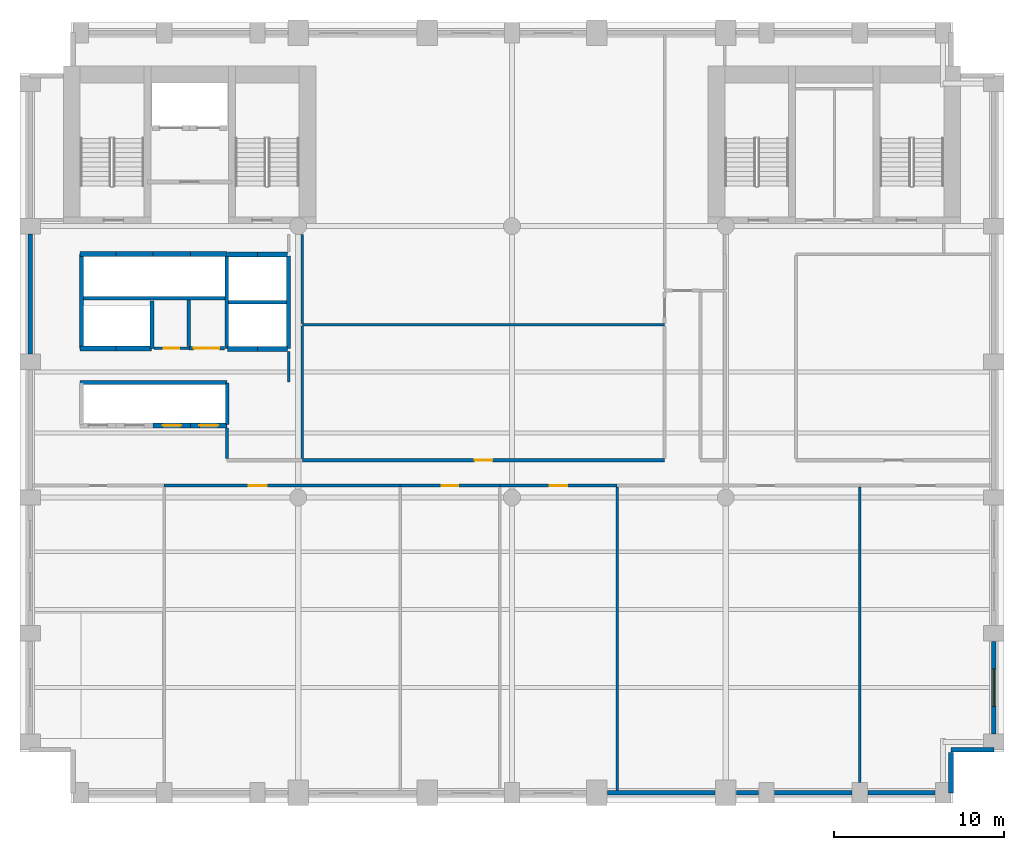
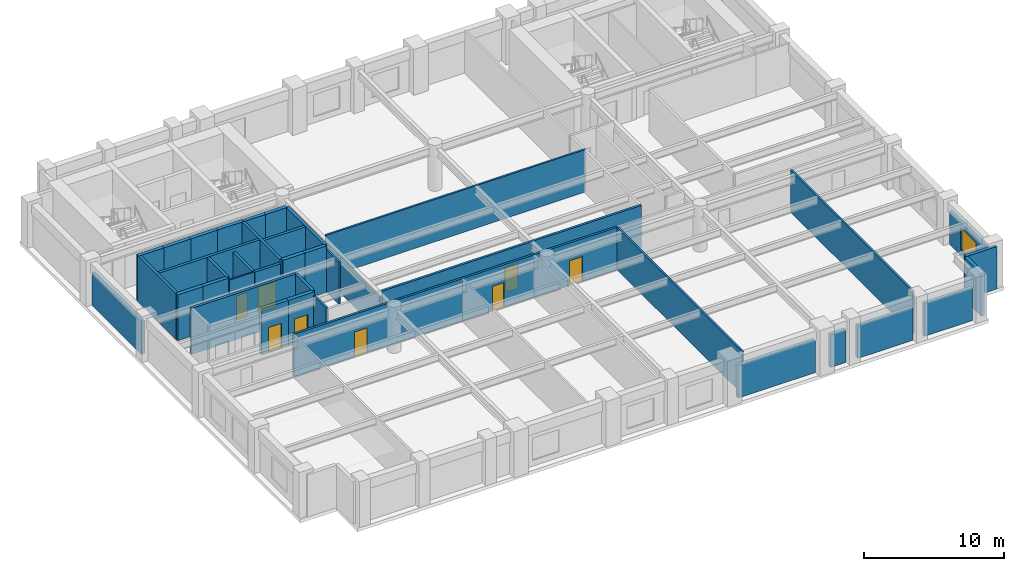
# One storey, part 3 of 9: 42 walls, 8 doors, 1 window, 9 openings.
"""IFC4 building model written with IfcOpenShell, lengths in metres."""

from ifc_helpers import new_model, si_unit, direction, frame, frame_2d, origin, place, context, subcontext, project, spatial, rectangle, extrude, material, layer, layer_set, type_object, element, fill, save


model = new_model("IFC4")

# Units and contexts
model_context = context("Model", 3, precision=1e-05, world=origin(), true_north=direction((0.0, 1.0)))
body_context = subcontext(model_context, "Body", "Model", "MODEL_VIEW")
ifc_project = project(units=[si_unit("LENGTHUNIT", "METRE"), si_unit("AREAUNIT", "SQUARE_METRE"), si_unit("VOLUMEUNIT", "CUBIC_METRE"), si_unit("PLANEANGLEUNIT", "RADIAN"), si_unit("MASSUNIT", "GRAM", prefix="KILO")], contexts=[model_context])

# Site, building, storey
site_placement = place(None, origin())
site = spatial("IfcSite", under=ifc_project, at=site_placement, CompositionType="ELEMENT")
building_placement = place(site_placement, origin())
building = spatial("IfcBuilding", under=site, at=building_placement, Name="Sulina Concourse Tower", CompositionType="ELEMENT")
storey_placement = place(building_placement, frame((0.0, 0.0, 66.60009765625)))
storey = spatial("IfcBuildingStorey", under=building, at=storey_placement, Name="L16", CompositionType="ELEMENT", Elevation=66.60009765625)

# Walls
ifc_material_1 = material(Name="Concrete C50/60", Category="concrete")
ifc_layer_1 = layer(ifc_material_1, 0.219970703125)
ifc_layer_set_1 = layer_set([ifc_layer_1], Name="Concrete C50/60")
wall_type_1 = type_object("IfcWallType", Name="Core Lift Hoistway Divider Wall 220mm", PredefinedType="SOLIDWALL", material=ifc_layer_set_1)
wall_1_placement = place(storey_placement, frame((3.550048828125, 29.75, 0.0), z_axis=(0.0, 0.0, 1.0), x_axis=(1.0, 0.0, 0.0)))
element("IfcWall", 1, at=wall_1_placement, inside=storey, type_object=wall_type_1, Name="L16 shaft divider wall HW-LP3-S", PredefinedType="SOLIDWALL", context=body_context, shape_type="SweptSolid", body=[
    extrude(rectangle(XDim=8.64990234375, YDim=0.219970703125, at=frame_2d((4.324951171875, 0.0))), origin(), (0.0, 0.0, 1.0), 4.0),
])
wall_2_placement = place(storey_placement, frame((3.6298828125, 26.800048828125, 0.0), z_axis=(0.0, 0.0, 1.0), x_axis=(0.0, 1.0, 0.0)))
element("IfcWall", 2, at=wall_2_placement, inside=storey, type_object=wall_type_1, Name="L16 shaft divider wall HW-LP3-W", PredefinedType="SOLIDWALL", context=body_context, shape_type="SweptSolid", body=[
    extrude(rectangle(XDim=5.550048828125, YDim=0.219970703125, at=frame_2d((2.77490234375, 0.0))), origin(), (0.0, 0.0, 1.0), 4.0),
])
wall_3_placement = place(storey_placement, frame((7.780029296875, 26.800048828125, 0.0), z_axis=(0.0, 0.0, 1.0), x_axis=(0.0, 1.0, 0.0)))
element("IfcWall", 3, at=wall_3_placement, inside=storey, type_object=wall_type_1, Name="L16 shaft divider wall HW-EXP-E", PredefinedType="SOLIDWALL", context=body_context, shape_type="SweptSolid", body=[
    extrude(rectangle(XDim=2.800048828125, YDim=0.219970703125, at=frame_2d((1.39990234375, 0.0))), origin(), (0.0, 0.0, 1.0), 4.0),
])
for number, where, z_axis, x_axis, name in (
    (4, (12.179931640625, 26.800048828125, 0.0), (0.0, 0.0, 1.0), (0.0, 1.0, 0.0), "L16 shaft divider wall HW-LP2-W"),
    (5, (15.820068359375, 26.800048828125, 0.0), (0.0, 0.0, 1.0), (0.0, 1.0, 0.0), "L16 shaft divider wall HW-LP2-E"),
):
    element("IfcWall", number, at=place(storey_placement, frame(where, z_axis=z_axis, x_axis=x_axis)), inside=storey, type_object=wall_type_1, Name=name, PredefinedType="SOLIDWALL", context=body_context, shape_type="SweptSolid", body=[
        extrude(rectangle(XDim=5.449951171875, YDim=0.219970703125, at=frame_2d((2.72509765625, 0.0))), origin(), (0.0, 0.0, 1.0), 4.0),
    ])
wall_4_placement = place(storey_placement, frame((12.300048828125, 29.52001953125, 0.0), z_axis=(0.0, 0.0, 1.0), x_axis=(1.0, 0.0, 0.0)))
element("IfcWall", 6, at=wall_4_placement, inside=storey, type_object=wall_type_1, Name="L16 shaft divider wall HW-LP2-M", PredefinedType="SOLIDWALL", context=body_context, shape_type="SweptSolid", body=[
    extrude(rectangle(XDim=3.39990234375, YDim=0.219970703125, at=frame_2d((1.699951171875, 0.0))), origin(), (0.0, 0.0, 1.0), 4.0),
])
wall_5_placement = place(storey_placement, frame((3.550048828125, 24.780029296875, 0.0), z_axis=(0.0, 0.0, 1.0), x_axis=(1.0, 0.0, 0.0)))
element("IfcWall", 7, at=wall_5_placement, inside=storey, type_object=wall_type_1, Name="L16 shaft divider wall HW-LP1-N", PredefinedType="SOLIDWALL", context=body_context, shape_type="SweptSolid", body=[
    extrude(rectangle(XDim=8.64990234375, YDim=0.219970703125, at=frame_2d((4.324951171875, 0.0))), origin(), (0.0, 0.0, 1.0), 4.0),
])
wall_6_placement = place(storey_placement, frame((12.219970703125, 22.300048828125, 0.0), z_axis=(0.0, 0.0, 1.0), x_axis=(0.0, 1.0, 0.0)))
element("IfcWall", 8, at=wall_6_placement, inside=storey, type_object=wall_type_1, Name="L16 shaft divider wall HW-LP1-E", PredefinedType="SOLIDWALL", context=body_context, shape_type="SweptSolid", body=[
    extrude(rectangle(XDim=2.449951171875, YDim=0.219970703125, at=frame_2d((1.22509765625, 0.0))), origin(), (0.0, 0.0, 1.0), 4.0),
])

# Wall, opening, door
ifc_material_2 = material(Name="Concrete C50/60", Category="concrete")
ifc_layer_2 = layer(ifc_material_2, 0.300048828125)
ifc_layer_set_2 = layer_set([ifc_layer_2], Name="Concrete C50/60")
wall_type_2 = type_object("IfcWallType", Name="Core Lift Hoistway Wall 300mm", PredefinedType="SOLIDWALL", material=ifc_layer_set_2)
wall_7_placement = place(storey_placement, frame((10.050048828125, 22.25, 0.0), z_axis=(0.0, 0.0, 1.0), x_axis=(-1.0, 0.0, 0.0)))
wall_7 = element("IfcWall", 9, at=wall_7_placement, inside=storey, type_object=wall_type_2, Name="L16 hoistway enclosure wall LP-03", PredefinedType="SOLIDWALL", context=body_context, shape_type="SweptSolid", body=[
    extrude(rectangle(XDim=2.199951171875, YDim=0.300048828125, at=frame_2d((1.10009765625, 0.0))), origin(), (0.0, 0.0, 1.0), 4.0),
])
opening_1_placement = place(wall_7_placement, frame((0.550048828125, 0.0, 0.0)))
opening_1 = element("IfcOpeningElement", 10, at=opening_1_placement, cuts=wall_7, Name="Opening LD-01", PredefinedType="OPENING", context=body_context, shape_type="SweptSolid", body=[
    extrude(rectangle(XDim=1.10009765625, YDim=2.199951171875, at=frame_2d((0.550048828125, 1.10009765625))), frame((0.0, 0.159912109375, 0.0), z_axis=(0.0, -1.0, 0.0), x_axis=(1.0, 0.0, 0.0)), (0.0, 0.0, 1.0), 0.320068359375),
])
ifc_material_3 = material(Name="Stainless steel lift landing door", Category="steel")
ifc_layer_3 = layer(ifc_material_3, 0.050048828125)
ifc_layer_set_3 = layer_set([ifc_layer_3], Name="Stainless steel lift landing door")
door_type_1 = type_object("IfcDoorType", Name="Passenger Lift Sliding Landing Door 1100x2200", OperationType="SLIDING_TO_LEFT", PredefinedType="DOOR", material=ifc_layer_set_3)
door_1_placement = place(opening_1_placement, origin())
door_1 = element("IfcDoor", 11, at=door_1_placement, inside=storey, type_object=door_type_1, Name="L16 lift landing sliding door LP-03", OperationType="SLIDING_TO_LEFT", OverallHeight=2.199951171875, OverallWidth=1.10009765625, PredefinedType="DOOR", context=body_context, shape_type="SweptSolid", body=[
    extrude(rectangle(XDim=1.10009765625, YDim=2.199951171875, at=frame_2d((0.550048828125, 1.10009765625))), frame((0.0, 0.02490234375, 0.0), z_axis=(0.0, -1.0, 0.0), x_axis=(1.0, 0.0, 0.0)), (0.0, 0.0, 1.0), 0.050048828125),
])
fill(opening_1, door_1)

wall_8_placement = place(storey_placement, frame((12.199951171875, 22.25, 0.0), z_axis=(0.0, 0.0, 1.0), x_axis=(-1.0, 0.0, 0.0)))
wall_8 = element("IfcWall", 12, at=wall_8_placement, inside=storey, type_object=wall_type_2, Name="L16 hoistway enclosure wall LP-04", PredefinedType="SOLIDWALL", context=body_context, shape_type="SweptSolid", body=[
    extrude(rectangle(XDim=2.14990234375, YDim=0.300048828125, at=frame_2d((1.074951171875, 0.0))), origin(), (0.0, 0.0, 1.0), 4.0),
])
opening_2_placement = place(wall_8_placement, frame((0.52490234375, 0.0, 0.0)))
opening_2 = element("IfcOpeningElement", 13, at=opening_2_placement, cuts=wall_8, Name="Opening LD-01", PredefinedType="OPENING", context=body_context, shape_type="SweptSolid", body=[
    extrude(rectangle(XDim=1.10009765625, YDim=2.199951171875, at=frame_2d((0.550048828125, 1.10009765625))), frame((0.0, 0.159912109375, 0.0), z_axis=(0.0, -1.0, 0.0), x_axis=(1.0, 0.0, 0.0)), (0.0, 0.0, 1.0), 0.320068359375),
])
door_2_placement = place(opening_2_placement, origin())
door_2 = element("IfcDoor", 14, at=door_2_placement, inside=storey, type_object=door_type_1, Name="L16 lift landing sliding door LP-04", OperationType="SLIDING_TO_RIGHT", OverallHeight=2.199951171875, OverallWidth=1.10009765625, PredefinedType="DOOR", context=body_context, shape_type="SweptSolid", body=[
    extrude(rectangle(XDim=1.10009765625, YDim=2.199951171875, at=frame_2d((0.550048828125, 1.10009765625))), frame((0.0, 0.02490234375, 0.0), z_axis=(0.0, -1.0, 0.0), x_axis=(1.0, 0.0, 0.0)), (0.0, 0.0, 1.0), 0.050048828125),
])
fill(opening_2, door_2)

# Walls
for number, where, z_axis, x_axis, name in (
    (15, (14.0, 26.75, 0.0), (0.0, 0.0, 1.0), (-1.0, 0.0, 0.0), "L16 hoistway enclosure wall LP-05"),
    (16, (15.780029296875, 26.75, 0.0), (0.0, 0.0, 1.0), (-1.0, 0.0, 0.0), "L16 hoistway enclosure wall LP-06"),
    (17, (12.219970703125, 32.320068359375, 0.0), (0.0, 0.0, 1.0), (1.0, 0.0, 0.0), "L16 hoistway enclosure wall LP-07"),
    (18, (14.0, 32.320068359375, 0.0), (0.0, 0.0, 1.0), (1.0, 0.0, 0.0), "L16 hoistway enclosure wall LP-08"),
):
    element("IfcWall", number, at=place(storey_placement, frame(where, z_axis=z_axis, x_axis=x_axis)), inside=storey, type_object=wall_type_2, Name=name, PredefinedType="SOLIDWALL", context=body_context, shape_type="SweptSolid", body=[
        extrude(rectangle(XDim=1.780029296875, YDim=0.300048828125, at=frame_2d((0.89013671875, 0.0))), origin(), (0.0, 0.0, 1.0), 4.0),
    ])
wall_9_placement = place(storey_placement, frame((3.550048828125, 32.35009765625, 0.0), z_axis=(0.0, 0.0, 1.0), x_axis=(1.0, 0.0, 0.0)))
element("IfcWall", 19, at=wall_9_placement, inside=storey, type_object=wall_type_2, Name="L16 hoistway enclosure wall LP-09", PredefinedType="SOLIDWALL", context=body_context, shape_type="SweptSolid", body=[
    extrude(rectangle(XDim=2.099853515625, YDim=0.300048828125, at=frame_2d((1.0498046875, 0.0))), origin(), (0.0, 0.0, 1.0), 4.0),
])
wall_10_placement = place(storey_placement, frame((5.64990234375, 32.35009765625, 0.0), z_axis=(0.0, 0.0, 1.0), x_axis=(1.0, 0.0, 0.0)))
element("IfcWall", 20, at=wall_10_placement, inside=storey, type_object=wall_type_2, Name="L16 hoistway enclosure wall LP-10", PredefinedType="SOLIDWALL", context=body_context, shape_type="SweptSolid", body=[
    extrude(rectangle(XDim=2.2001953125, YDim=0.300048828125, at=frame_2d((1.10009765625, 0.0))), origin(), (0.0, 0.0, 1.0), 4.0),
])
wall_11_placement = place(storey_placement, frame((7.85009765625, 32.35009765625, 0.0), z_axis=(0.0, 0.0, 1.0), x_axis=(1.0, 0.0, 0.0)))
element("IfcWall", 21, at=wall_11_placement, inside=storey, type_object=wall_type_2, Name="L16 hoistway enclosure wall LP-11", PredefinedType="SOLIDWALL", context=body_context, shape_type="SweptSolid", body=[
    extrude(rectangle(XDim=2.199951171875, YDim=0.300048828125, at=frame_2d((1.10009765625, 0.0))), origin(), (0.0, 0.0, 1.0), 4.0),
])
wall_12_placement = place(storey_placement, frame((10.050048828125, 32.35009765625, 0.0), z_axis=(0.0, 0.0, 1.0), x_axis=(1.0, 0.0, 0.0)))
element("IfcWall", 22, at=wall_12_placement, inside=storey, type_object=wall_type_2, Name="L16 hoistway enclosure wall LP-12", PredefinedType="SOLIDWALL", context=body_context, shape_type="SweptSolid", body=[
    extrude(rectangle(XDim=2.14990234375, YDim=0.300048828125, at=frame_2d((1.074951171875, 0.0))), origin(), (0.0, 0.0, 1.0), 4.0),
])
wall_13_placement = place(storey_placement, frame((5.64990234375, 26.780029296875, 0.0), z_axis=(0.0, 0.0, 1.0), x_axis=(-1.0, 0.0, 0.0)))
element("IfcWall", 23, at=wall_13_placement, inside=storey, type_object=wall_type_2, Name="L16 hoistway enclosure wall EXP-1", PredefinedType="SOLIDWALL", context=body_context, shape_type="SweptSolid", body=[
    extrude(rectangle(XDim=2.099853515625, YDim=0.300048828125, at=frame_2d((1.0498046875, 0.0))), origin(), (0.0, 0.0, 1.0), 4.0),
])
wall_14_placement = place(storey_placement, frame((7.75, 26.780029296875, 0.0), z_axis=(0.0, 0.0, 1.0), x_axis=(-1.0, 0.0, 0.0)))
element("IfcWall", 24, at=wall_14_placement, inside=storey, type_object=wall_type_2, Name="L16 hoistway enclosure wall EXP-2", PredefinedType="SOLIDWALL", context=body_context, shape_type="SweptSolid", body=[
    extrude(rectangle(XDim=2.10009765625, YDim=0.300048828125, at=frame_2d((1.050048828125, 0.0))), origin(), (0.0, 0.0, 1.0), 4.0),
])

# Wall, opening, door
ifc_material_4 = material(Name="Gypsum board on steel stud", Category="steel")
ifc_layer_4 = layer(ifc_material_4, 0.219970703125)
ifc_layer_set_4 = layer_set([ifc_layer_4], Name="Gypsum board on steel stud")
wall_type_3 = type_object("IfcWallType", Name="Fire-Rated Lobby & Compartment Wall 220mm", PredefinedType="PARTITIONING", material=ifc_layer_set_4)
wall_15_placement = place(storey_placement, frame((9.949951171875, 26.800048828125, 0.0), z_axis=(0.0, 0.0, 1.0), x_axis=(1.0, 0.0, 0.0)))
wall_15 = element("IfcWall", 25, at=wall_15_placement, inside=storey, type_object=wall_type_3, Name="L16 interior partition 012", PredefinedType="PARTITIONING", context=body_context, shape_type="SweptSolid", body=[
    extrude(rectangle(XDim=2.10009765625, YDim=0.219970703125, at=frame_2d((1.050048828125, 0.0))), origin(), (0.0, 0.0, 1.0), 3.699951171875),
])
opening_3_placement = place(wall_15_placement, frame((0.300048828125, 0.0, 0.0)))
opening_3 = element("IfcOpeningElement", 26, at=opening_3_placement, cuts=wall_15, Name="Opening DR-80", PredefinedType="OPENING", context=body_context, shape_type="SweptSolid", body=[
    extrude(rectangle(XDim=1.5, YDim=2.25, at=frame_2d((0.75, 1.125))), frame((0.0, 0.119873046875, 0.0), z_axis=(0.0, -1.0, 0.0), x_axis=(1.0, 0.0, 0.0)), (0.0, 0.0, 1.0), 0.239990234375),
])
ifc_material_5 = material(Name="Galvanised steel acoustic fire leaf", Category="steel")
ifc_layer_5 = layer(ifc_material_5, 0.054931640625)
ifc_layer_set_5 = layer_set([ifc_layer_5], Name="Galvanised steel acoustic fire leaf")
door_type_2 = type_object("IfcDoorType", Name="Mechanical Plant Double Fire Door 1500x2250", OperationType="DOUBLE_DOOR_SINGLE_SWING", PredefinedType="DOOR", material=ifc_layer_set_5)
door_3_placement = place(opening_3_placement, origin())
door_3 = element("IfcDoor", 27, at=door_3_placement, inside=storey, type_object=door_type_2, Name="L16 interior door L16-IT-IDF", OperationType="DOUBLE_DOOR_SINGLE_SWING", OverallHeight=2.25, OverallWidth=1.5, PredefinedType="DOOR", context=body_context, shape_type="SweptSolid", body=[
    extrude(rectangle(XDim=1.5, YDim=2.25, at=frame_2d((0.75, 1.125))), frame((0.0, 0.02490234375, 0.0), z_axis=(0.0, -1.0, 0.0), x_axis=(1.0, 0.0, 0.0)), (0.0, 0.0, 1.0), 0.050048828125),
])
fill(opening_3, door_3)

# Walls
wall_16_placement = place(storey_placement, frame((9.949951171875, 26.909912109375, 0.0), z_axis=(0.0, 0.0, 1.0), x_axis=(0.0, 1.0, 0.0)))
element("IfcWall", 28, at=wall_16_placement, inside=storey, type_object=wall_type_3, Name="L16 interior partition 022", PredefinedType="PARTITIONING", context=body_context, shape_type="SweptSolid", body=[
    extrude(rectangle(XDim=2.72998046875, YDim=0.219970703125, at=frame_2d((1.364990234375, 0.0))), origin(), (0.0, 0.0, 1.0), 3.699951171875),
])
ifc_material_6 = material(Name="Gypsum board on steel stud", Category="steel")
ifc_layer_6 = layer(ifc_material_6, 0.14990234375)
ifc_layer_set_6 = layer_set([ifc_layer_6], Name="Gypsum board on steel stud")
wall_type_4 = type_object("IfcWallType", Name="Inter-Tenancy Acoustic Partition 150mm", PredefinedType="PARTITIONING", material=ifc_layer_set_6)
wall_17_placement = place(storey_placement, frame((16.64990234375, 28.199951171875, 0.0), z_axis=(0.0, 0.0, 1.0), x_axis=(1.0, 0.0, 0.0)))
element("IfcWall", 29, at=wall_17_placement, inside=storey, type_object=wall_type_4, Name="L16 interior partition 013", PredefinedType="PARTITIONING", context=body_context, shape_type="SweptSolid", body=[
    extrude(rectangle(XDim=21.35009765625, YDim=0.14990234375, at=frame_2d((10.675048828125, 0.0))), origin(), (0.0, 0.0, 1.0), 3.699951171875),
])
wall_18_placement = place(storey_placement, frame((12.199951171875, 20.2900390625, 0.0), z_axis=(0.0, 0.0, 1.0), x_axis=(0.0, 1.0, 0.0)))
element("IfcWall", 30, at=wall_18_placement, inside=storey, type_object=wall_type_4, Name="L16 interior partition 023", PredefinedType="PARTITIONING", context=body_context, shape_type="SweptSolid", body=[
    extrude(rectangle(XDim=1.81005859375, YDim=0.14990234375, at=frame_2d((0.905029296875, 0.0))), origin(), (0.0, 0.0, 1.0), 3.699951171875),
])
wall_19_placement = place(storey_placement, frame((15.85009765625, 24.800048828125, 0.0), z_axis=(0.0, 0.0, 1.0), x_axis=(0.0, 1.0, 0.0)))
element("IfcWall", 31, at=wall_19_placement, inside=storey, type_object=wall_type_4, Name="L16 interior partition 024", PredefinedType="PARTITIONING", context=body_context, shape_type="SweptSolid", body=[
    extrude(rectangle(XDim=1.800048828125, YDim=0.14990234375, at=frame_2d((0.89990234375, 0.0))), origin(), (0.0, 0.0, 1.0), 3.699951171875),
])
wall_20_placement = place(storey_placement, frame((16.64990234375, 20.2900390625, 0.0), z_axis=(0.0, 0.0, 1.0), x_axis=(0.0, 1.0, 0.0)))
element("IfcWall", 32, at=wall_20_placement, inside=storey, type_object=wall_type_4, Name="L16 interior partition 026", PredefinedType="PARTITIONING", context=body_context, shape_type="SweptSolid", body=[
    extrude(rectangle(XDim=7.8349609375, YDim=0.14990234375, at=frame_2d((3.91748046875, 0.0))), origin(), (0.0, 0.0, 1.0), 2.994873046875),
])
wall_21_placement = place(storey_placement, frame((16.64990234375, 28.27490234375, 0.0), z_axis=(0.0, 0.0, 1.0), x_axis=(0.0, 1.0, 0.0)))
element("IfcWall", 33, at=wall_21_placement, inside=storey, type_object=wall_type_4, Name="L16 interior partition 027", PredefinedType="PARTITIONING", context=body_context, shape_type="SweptSolid", body=[
    extrude(rectangle(XDim=5.22509765625, YDim=0.14990234375, at=frame_2d((2.612548828125, 0.0))), origin(), (0.0, 0.0, 1.0), 2.994873046875),
])
wall_22_placement = place(storey_placement, frame((35.199951171875, 0.739990234375, 0.0), z_axis=(0.0, 0.0, 1.0), x_axis=(0.0, 1.0, 0.0)))
element("IfcWall", 34, at=wall_22_placement, inside=storey, type_object=wall_type_4, Name="L16 interior partition 030", PredefinedType="PARTITIONING", context=body_context, shape_type="SweptSolid", body=[
    extrude(rectangle(XDim=17.8701171875, YDim=0.14990234375, at=frame_2d((8.93505859375, 0.0))), origin(), (0.0, 0.0, 1.0), 3.699951171875),
])
wall_23_placement = place(storey_placement, frame((49.5, 1.199951171875, 0.0), z_axis=(0.0, 0.0, 1.0), x_axis=(0.0, 1.0, 0.0)))
element("IfcWall", 35, at=wall_23_placement, inside=storey, type_object=wall_type_4, Name="L16 interior partition 041", PredefinedType="PARTITIONING", context=body_context, shape_type="SweptSolid", body=[
    extrude(rectangle(XDim=17.41015625, YDim=0.14990234375, at=frame_2d((8.705078125, 0.0))), origin(), (0.0, 0.0, 1.0), 3.699951171875),
])

# Wall, opening, door
ifc_material_7 = material(Name="Gypsum board on steel stud", Category="steel")
ifc_layer_7 = layer(ifc_material_7, 0.179931640625)
ifc_layer_set_7 = layer_set([ifc_layer_7], Name="Gypsum board on steel stud")
wall_type_5 = type_object("IfcWallType", Name="Protected Corridor & Riser Partition 180mm", PredefinedType="PARTITIONING", material=ifc_layer_set_7)
wall_24_placement = place(storey_placement, frame((8.5, 18.699951171875, 0.0), z_axis=(0.0, 0.0, 1.0), x_axis=(1.0, 0.0, 0.0)))
wall_24 = element("IfcWall", 36, at=wall_24_placement, inside=storey, type_object=wall_type_5, Name="L16 interior partition 002", PredefinedType="PARTITIONING", context=body_context, shape_type="SweptSolid", body=[
    extrude(rectangle(XDim=13.89990234375, YDim=0.179931640625, at=frame_2d((6.949951171875, 0.0))), origin(), (0.0, 0.0, 1.0), 3.699951171875),
])
opening_4_placement = place(wall_24_placement, frame((4.985107421875, 0.0, 0.0)))
opening_4 = element("IfcOpeningElement", 37, at=opening_4_placement, cuts=wall_24, Name="Opening DR-37", PredefinedType="OPENING", context=body_context, shape_type="SweptSolid", body=[
    extrude(rectangle(XDim=1.050048828125, YDim=2.14990234375, at=frame_2d((0.52490234375, 1.074951171875))), frame((0.0, 0.099853515625, 0.0), z_axis=(0.0, -1.0, 0.0), x_axis=(1.0, 0.0, 0.0)), (0.0, 0.0, 1.0), 0.199951171875),
])
ifc_material_8 = material(Name="Oak-veneered fire door leaf")
ifc_layer_8 = layer(ifc_material_8, 0.050048828125)
ifc_layer_set_8 = layer_set([ifc_layer_8], Name="Oak-veneered fire door leaf")
door_type_3 = type_object("IfcDoorType", Name="Tenant Suite Entrance Fire Door 1050x2150", OperationType="NOTDEFINED", PredefinedType="DOOR", material=ifc_layer_set_8)
door_4_placement = place(opening_4_placement, origin())
door_4 = element("IfcDoor", 38, at=door_4_placement, inside=storey, type_object=door_type_3, Name="L16 interior door L16-S02", OperationType="SINGLE_SWING_LEFT", OverallHeight=2.14990234375, OverallWidth=1.050048828125, PredefinedType="DOOR", context=body_context, shape_type="SweptSolid", body=[
    extrude(rectangle(XDim=1.050048828125, YDim=2.14990234375, at=frame_2d((0.52490234375, 1.074951171875))), frame((0.0, 0.02490234375, 0.0), z_axis=(0.0, -1.0, 0.0), x_axis=(1.0, 0.0, 0.0)), (0.0, 0.0, 1.0), 0.050048828125),
])
fill(opening_4, door_4)

wall_25_placement = place(storey_placement, frame((22.39990234375, 18.699951171875, 0.0), z_axis=(0.0, 0.0, 1.0), x_axis=(1.0, 0.0, 0.0)))
wall_25 = element("IfcWall", 39, at=wall_25_placement, inside=storey, type_object=wall_type_5, Name="L16 interior partition 003", PredefinedType="PARTITIONING", context=body_context, shape_type="SweptSolid", body=[
    extrude(rectangle(XDim=5.89013671875, YDim=0.179931640625, at=frame_2d((2.945068359375, 0.0))), origin(), (0.0, 0.0, 1.0), 3.699951171875),
])
opening_5_placement = place(wall_25_placement, frame((2.469970703125, 0.0, 0.0)))
opening_5 = element("IfcOpeningElement", 40, at=opening_5_placement, cuts=wall_25, Name="Opening DR-19", PredefinedType="OPENING", context=body_context, shape_type="SweptSolid", body=[
    extrude(rectangle(XDim=0.949951171875, YDim=2.14990234375, at=frame_2d((0.47509765625, 1.074951171875))), frame((0.0, 0.099853515625, 0.0), z_axis=(0.0, -1.0, 0.0), x_axis=(1.0, 0.0, 0.0)), (0.0, 0.0, 1.0), 0.199951171875),
])
ifc_material_9 = material(Name="Oak-veneered acoustic timber leaf", Category="wood")
ifc_layer_9 = layer(ifc_material_9, 0.050048828125)
ifc_layer_set_9 = layer_set([ifc_layer_9], Name="Oak-veneered acoustic timber leaf")
door_type_4 = type_object("IfcDoorType", Name="Cellular Office & Meeting Door 950x2150", OperationType="NOTDEFINED", PredefinedType="DOOR", material=ifc_layer_set_9)
door_5_placement = place(opening_5_placement, origin())
door_5 = element("IfcDoor", 41, at=door_5_placement, inside=storey, type_object=door_type_4, Name="L16 interior door L16-S03A", OperationType="SINGLE_SWING_RIGHT", OverallHeight=2.14990234375, OverallWidth=0.949951171875, PredefinedType="DOOR", context=body_context, shape_type="SweptSolid", body=[
    extrude(rectangle(XDim=0.949951171875, YDim=2.14990234375, at=frame_2d((0.47509765625, 1.074951171875))), frame((0.0, 0.02490234375, 0.0), z_axis=(0.0, -1.0, 0.0), x_axis=(1.0, 0.0, 0.0)), (0.0, 0.0, 1.0), 0.050048828125),
])
fill(opening_5, door_5)

wall_26_placement = place(storey_placement, frame((28.2900390625, 18.699951171875, 0.0), z_axis=(0.0, 0.0, 1.0), x_axis=(1.0, 0.0, 0.0)))
wall_26 = element("IfcWall", 42, at=wall_26_placement, inside=storey, type_object=wall_type_5, Name="L16 interior partition 004", PredefinedType="PARTITIONING", context=body_context, shape_type="SweptSolid", body=[
    extrude(rectangle(XDim=6.909912109375, YDim=0.179931640625, at=frame_2d((3.455078125, 0.0))), origin(), (0.0, 0.0, 1.0), 3.699951171875),
])
opening_6_placement = place(wall_26_placement, frame((2.929931640625, 0.0, 0.0)))
opening_6 = element("IfcOpeningElement", 43, at=opening_6_placement, cuts=wall_26, Name="Opening DR-37", PredefinedType="OPENING", context=body_context, shape_type="SweptSolid", body=[
    extrude(rectangle(XDim=1.050048828125, YDim=2.14990234375, at=frame_2d((0.52490234375, 1.074951171875))), frame((0.0, 0.099853515625, 0.0), z_axis=(0.0, -1.0, 0.0), x_axis=(1.0, 0.0, 0.0)), (0.0, 0.0, 1.0), 0.199951171875),
])
door_6_placement = place(opening_6_placement, origin())
door_6 = element("IfcDoor", 44, at=door_6_placement, inside=storey, type_object=door_type_3, Name="L16 interior door L16-S03B", OperationType="SINGLE_SWING_LEFT", OverallHeight=2.14990234375, OverallWidth=1.050048828125, PredefinedType="DOOR", context=body_context, shape_type="SweptSolid", body=[
    extrude(rectangle(XDim=1.050048828125, YDim=2.14990234375, at=frame_2d((0.52490234375, 1.074951171875))), frame((0.0, 0.02490234375, 0.0), z_axis=(0.0, -1.0, 0.0), x_axis=(1.0, 0.0, 0.0)), (0.0, 0.0, 1.0), 0.050048828125),
])
fill(opening_6, door_6)

wall_27_placement = place(storey_placement, frame((16.64990234375, 20.199951171875, 0.0), z_axis=(0.0, 0.0, 1.0), x_axis=(1.0, 0.0, 0.0)))
wall_27 = element("IfcWall", 45, at=wall_27_placement, inside=storey, type_object=wall_type_5, Name="L16 interior partition 008", PredefinedType="PARTITIONING", context=body_context, shape_type="SweptSolid", body=[
    extrude(rectangle(XDim=21.35009765625, YDim=0.179931640625, at=frame_2d((10.675048828125, 0.0))), origin(), (0.0, 0.0, 1.0), 3.699951171875),
])
opening_7_placement = place(wall_27_placement, frame((10.14990234375, 0.0, 0.0)))
opening_7 = element("IfcOpeningElement", 46, at=opening_7_placement, cuts=wall_27, Name="Opening DR-37", PredefinedType="OPENING", context=body_context, shape_type="SweptSolid", body=[
    extrude(rectangle(XDim=1.050048828125, YDim=2.14990234375, at=frame_2d((0.52490234375, 1.074951171875))), frame((0.0, 0.099853515625, 0.0), z_axis=(0.0, -1.0, 0.0), x_axis=(1.0, 0.0, 0.0)), (0.0, 0.0, 1.0), 0.199951171875),
])
door_7_placement = place(opening_7_placement, origin())
door_7 = element("IfcDoor", 47, at=door_7_placement, inside=storey, type_object=door_type_3, Name="L16 interior door L16-NC1", OperationType="SINGLE_SWING_RIGHT", OverallHeight=2.14990234375, OverallWidth=1.050048828125, PredefinedType="DOOR", context=body_context, shape_type="SweptSolid", body=[
    extrude(rectangle(XDim=1.050048828125, YDim=2.14990234375, at=frame_2d((0.52490234375, 1.074951171875))), frame((0.0, 0.02490234375, 0.0), z_axis=(0.0, -1.0, 0.0), x_axis=(1.0, 0.0, 0.0)), (0.0, 0.0, 1.0), 0.050048828125),
])
fill(opening_7, door_7)

# Walls
ifc_material_10 = material(Name="Precast concrete C50/60", Category="concrete")
ifc_layer_10 = layer(ifc_material_10, 0.280029296875)
ifc_layer_set_10 = layer_set([ifc_layer_10], Name="Precast concrete C50/60")
wall_type_6 = type_object("IfcWallType", Name="Typical Precast Masonry-Frame Facade Wall 280mm", PredefinedType="SOLIDWALL", material=ifc_layer_set_10)
wall_28_placement = place(storey_placement, frame((40.97998046875, 0.60009765625, 0.0), z_axis=(0.0, 0.0, 1.0), x_axis=(-1.0, 0.0, 0.0)))
element("IfcWall", 48, at=wall_28_placement, inside=storey, type_object=wall_type_6, Name="L16 exterior precast wall S7", PredefinedType="SOLIDWALL", context=body_context, shape_type="SweptSolid", body=[
    extrude(rectangle(XDim=6.35986328125, YDim=0.280029296875, at=frame_2d((3.179931640625, 0.0))), origin(), (0.0, 0.0, 1.0), 2.849853515625),
])
wall_29_placement = place(storey_placement, frame((43.530029296875, 0.60009765625, 0.0), z_axis=(0.0, 0.0, 1.0), x_axis=(-1.0, 0.0, 0.0)))
element("IfcWall", 49, at=wall_29_placement, inside=storey, type_object=wall_type_6, Name="L16 exterior precast wall S8", PredefinedType="SOLIDWALL", context=body_context, shape_type="SweptSolid", body=[
    extrude(rectangle(XDim=1.31005859375, YDim=0.280029296875, at=frame_2d((0.655029296875, 0.0))), origin(), (0.0, 0.0, 1.0), 2.849853515625),
])
wall_30_placement = place(storey_placement, frame((49.030029296875, 0.60009765625, 0.0), z_axis=(0.0, 0.0, 1.0), x_axis=(-1.0, 0.0, 0.0)))
element("IfcWall", 50, at=wall_30_placement, inside=storey, type_object=wall_type_6, Name="L16 exterior precast wall S9", PredefinedType="SOLIDWALL", context=body_context, shape_type="SweptSolid", body=[
    extrude(rectangle(XDim=4.56005859375, YDim=0.280029296875, at=frame_2d((2.280029296875, 0.0))), origin(), (0.0, 0.0, 1.0), 2.849853515625),
])
wall_31_placement = place(storey_placement, frame((53.929931640625, 0.60009765625, 0.0), z_axis=(0.0, 0.0, 1.0), x_axis=(-1.0, 0.0, 0.0)))
element("IfcWall", 51, at=wall_31_placement, inside=storey, type_object=wall_type_6, Name="L16 exterior precast wall S10", PredefinedType="SOLIDWALL", context=body_context, shape_type="SweptSolid", body=[
    extrude(rectangle(XDim=3.9599609375, YDim=0.280029296875, at=frame_2d((1.97998046875, 0.0))), origin(), (0.0, 0.0, 1.0), 2.849853515625),
])
wall_32_placement = place(storey_placement, frame((0.60009765625, 26.469970703125, 0.0), z_axis=(0.0, 0.0, 1.0), x_axis=(0.0, 1.0, 0.0)))
element("IfcWall", 52, at=wall_32_placement, inside=storey, type_object=wall_type_6, Name="L16 exterior precast wall W4", PredefinedType="SOLIDWALL", context=body_context, shape_type="SweptSolid", body=[
    extrude(rectangle(XDim=7.06005859375, YDim=0.280029296875, at=frame_2d((3.530029296875, 0.0))), origin(), (0.0, 0.0, 1.0), 2.849853515625),
])

# Wall, opening, window
wall_33_placement = place(storey_placement, frame((57.39990234375, 9.530029296875, 0.0), z_axis=(0.0, 0.0, 1.0), x_axis=(0.0, -1.0, 0.0)))
wall_33 = element("IfcWall", 53, at=wall_33_placement, inside=storey, type_object=wall_type_6, Name="L16 exterior precast wall E1", PredefinedType="SOLIDWALL", context=body_context, shape_type="SweptSolid", body=[
    extrude(rectangle(XDim=5.4599609375, YDim=0.280029296875, at=frame_2d((2.72998046875, 0.0))), origin(), (0.0, 0.0, 1.0), 2.849853515625),
])
opening_8_placement = place(wall_33_placement, frame((1.6298828125, 0.0, 0.5)))
opening_8 = element("IfcOpeningElement", 54, at=opening_8_placement, cuts=wall_33, Name="Opening WN-76", PredefinedType="OPENING", context=body_context, shape_type="SweptSolid", body=[
    extrude(rectangle(XDim=2.199951171875, YDim=1.949951171875, at=frame_2d((1.10009765625, 0.97509765625))), frame((0.0, 0.14990234375, 0.0), z_axis=(0.0, -1.0, 0.0), x_axis=(1.0, 0.0, 0.0)), (0.0, 0.0, 1.0), 0.300048828125),
])
ifc_material_11 = material(Name="Low-E solar double glazing in bronze aluminium", Category="aluminium")
window_type = type_object("IfcWindowType", Name="Recessed Spandrel Window 2200x1950", PartitioningType="DOUBLE_PANEL_VERTICAL", PredefinedType="WINDOW", material=ifc_material_11)
window_placement = place(opening_8_placement, origin())
window = element("IfcWindow", 55, at=window_placement, inside=storey, type_object=window_type, Name="L16 punched window E1-1", OverallHeight=1.949951171875, OverallWidth=2.199951171875, PartitioningType="SINGLE_PANEL", PredefinedType="WINDOW", context=body_context, shape_type="SweptSolid", body=[
    extrude(rectangle(XDim=2.199951171875, YDim=1.949951171875, at=frame_2d((1.10009765625, 0.97509765625))), frame((0.0, 0.030029296875, 0.0), z_axis=(0.0, -1.0, 0.0), x_axis=(1.0, 0.0, 0.0)), (0.0, 0.0, 1.0), 0.06005859375),
])
fill(opening_8, window)

# Walls
wall_34_placement = place(storey_placement, frame((57.39990234375, 3.1298828125, 0.0), z_axis=(0.0, 0.0, 1.0), x_axis=(-1.0, 0.0, 0.0)))
element("IfcWall", 56, at=wall_34_placement, inside=storey, type_object=wall_type_6, Name="L16 exterior precast wall CSE1", PredefinedType="SOLIDWALL", context=body_context, shape_type="SweptSolid", body=[
    extrude(rectangle(XDim=2.52978515625, YDim=0.280029296875, at=frame_2d((1.264892578125, 0.0))), origin(), (0.0, 0.0, 1.0), 3.699951171875),
])
wall_35_placement = place(storey_placement, frame((54.8701171875, 2.985107421875, 0.0), z_axis=(0.0, 0.0, 1.0), x_axis=(0.0, -1.0, 0.0)))
element("IfcWall", 57, at=wall_35_placement, inside=storey, type_object=wall_type_6, Name="L16 exterior precast wall CSE2", PredefinedType="SOLIDWALL", context=body_context, shape_type="SweptSolid", body=[
    extrude(rectangle(XDim=2.385009765625, YDim=0.280029296875, at=frame_2d((1.1923828125, 0.0))), origin(), (0.0, 0.0, 1.0), 3.699951171875),
])

# Wall, opening, door
ifc_material_12 = material(Name="Gypsum board on steel stud", Category="steel")
ifc_layer_11 = layer(ifc_material_12, 0.125)
ifc_layer_set_11 = layer_set([ifc_layer_11], Name="Gypsum board on steel stud")
wall_type_7 = type_object("IfcWallType", Name="Wet-Area Moisture-Resistant Partition 125mm", PredefinedType="PARTITIONING", material=ifc_layer_set_11)
wall_36_placement = place(storey_placement, frame((7.889892578125, 26.800048828125, 0.0), z_axis=(0.0, 0.0, 1.0), x_axis=(1.0, 0.0, 0.0)))
wall_36 = element("IfcWall", 58, at=wall_36_placement, inside=storey, type_object=wall_type_7, Name="L16 interior partition 011", PredefinedType="PARTITIONING", context=body_context, shape_type="SweptSolid", body=[
    extrude(rectangle(XDim=2.06005859375, YDim=0.125, at=frame_2d((1.030029296875, 0.0))), origin(), (0.0, 0.0, 1.0), 3.699951171875),
])
opening_9_placement = place(wall_36_placement, frame((0.570068359375, 0.0, 0.0)))
opening_9 = element("IfcOpeningElement", 59, at=opening_9_placement, cuts=wall_36, Name="Opening DR-61", PredefinedType="OPENING", context=body_context, shape_type="SweptSolid", body=[
    extrude(rectangle(XDim=0.919921875, YDim=2.10009765625, at=frame_2d((0.4599609375, 1.050048828125))), frame((0.0, 0.072509765625, 0.0), z_axis=(0.0, -1.0, 0.0), x_axis=(1.0, 0.0, 0.0)), (0.0, 0.0, 1.0), 0.14501953125),
])
ifc_material_13 = material(Name="Oak-veneered fire door leaf")
ifc_layer_12 = layer(ifc_material_13, 0.050048828125)
ifc_layer_set_12 = layer_set([ifc_layer_12], Name="Oak-veneered fire door leaf")
door_type_5 = type_object("IfcDoorType", Name="Accessible WC Door 920x2100", OperationType="NOTDEFINED", PredefinedType="DOOR", material=ifc_layer_set_12)
door_8_placement = place(opening_9_placement, origin())
door_8 = element("IfcDoor", 60, at=door_8_placement, inside=storey, type_object=door_type_5, Name="L16 interior door L16-WC-ACC", OperationType="SINGLE_SWING_RIGHT", OverallHeight=2.10009765625, OverallWidth=0.919921875, PredefinedType="DOOR", context=body_context, shape_type="SweptSolid", body=[
    extrude(rectangle(XDim=0.919921875, YDim=2.10009765625, at=frame_2d((0.4599609375, 1.050048828125))), frame((0.0, 0.02490234375, 0.0), z_axis=(0.0, -1.0, 0.0), x_axis=(1.0, 0.0, 0.0)), (0.0, 0.0, 1.0), 0.050048828125),
])
fill(opening_9, door_8)

save(model, "model.ifc")
